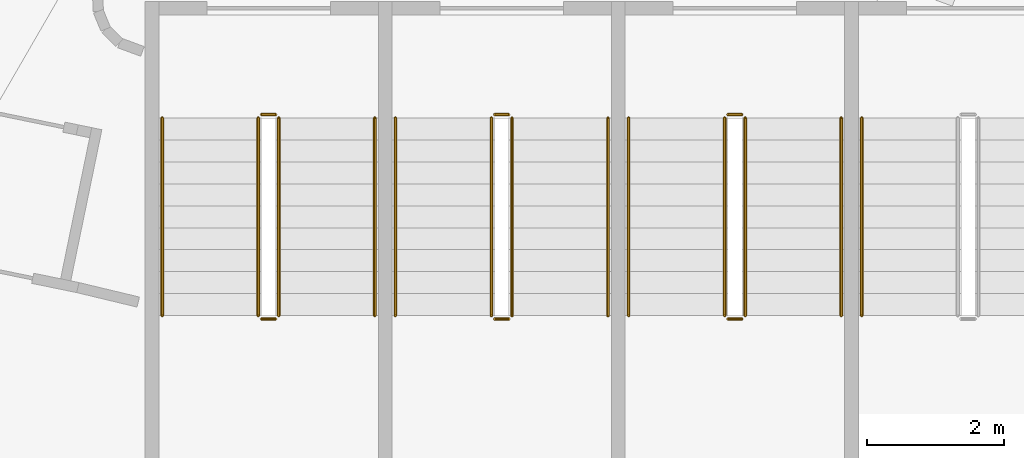
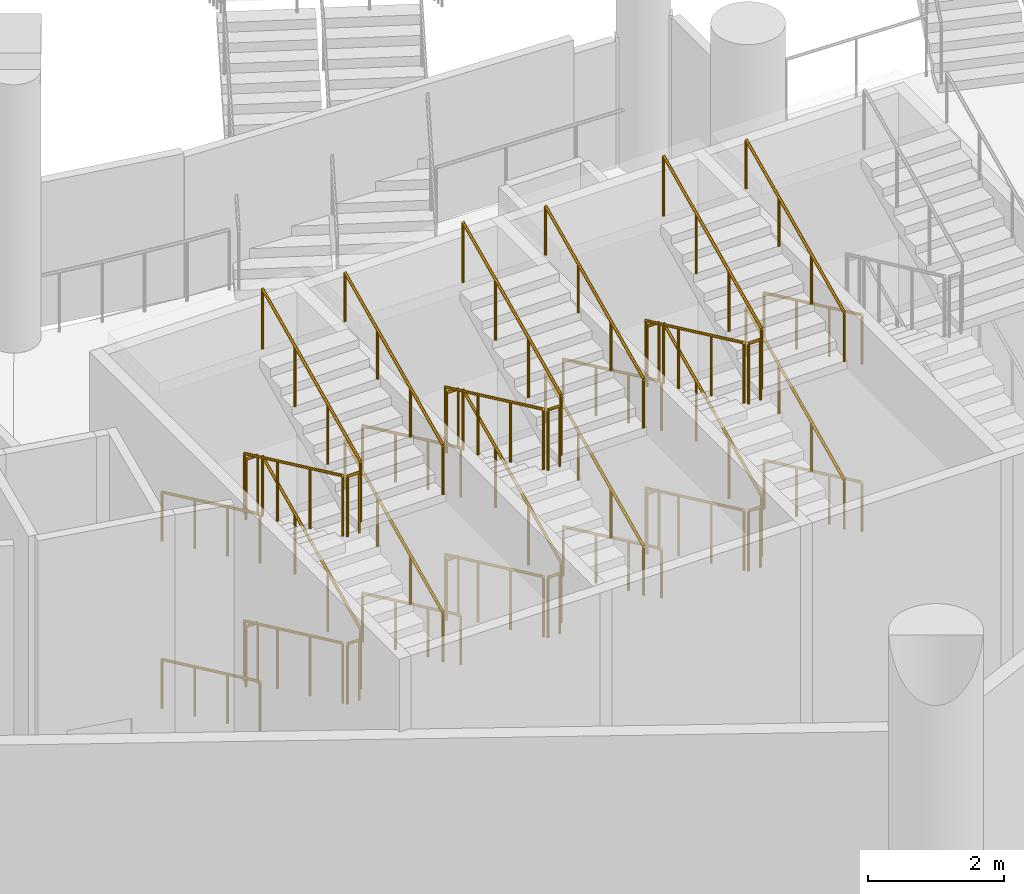
# One storey, part 116 of 173: 38 railings.
"""IFC4 building model written with IfcOpenShell, lengths in metres."""

from ifc_helpers import new_model, si_unit, direction, frame, origin, origin_2d, place, context, subcontext, project, spatial, circle, extrude, material, type_object, element, save


model = new_model("IFC4")

# Units and contexts
model_context = context("Model", 3, precision=1e-05, world=origin(), true_north=direction((0.0, 1.0)))
body_context = subcontext(model_context, "Body", "Model", "MODEL_VIEW")
ifc_project = project(units=[si_unit("LENGTHUNIT", "METRE"), si_unit("AREAUNIT", "SQUARE_METRE"), si_unit("VOLUMEUNIT", "CUBIC_METRE"), si_unit("PLANEANGLEUNIT", "RADIAN"), si_unit("MASSUNIT", "GRAM", prefix="KILO")], contexts=[model_context])

# Site, building, storey
site_placement = place(None, origin())
site = spatial("IfcSite", under=ifc_project, at=site_placement, CompositionType="ELEMENT")
building_placement = place(site_placement, origin())
building = spatial("IfcBuilding", under=site, at=building_placement, Name="Meseta Stadium", CompositionType="ELEMENT")
storey_placement = place(building_placement, frame((0.0, 0.0, 18.0)))
storey = spatial("IfcBuildingStorey", under=building, at=storey_placement, Name="L03", CompositionType="ELEMENT", Elevation=18.0)

# Railings
ifc_material_1 = material(Name="Steel S355", Category="steel")
railing_type_1 = type_object("IfcRailingType", Name="Stair guard 1100", PredefinedType="GUARDRAIL", material=ifc_material_1)
railing_1_placement = place(storey_placement, frame((-43.583251953125, -94.199951171875, 0.14990234375)))
element("IfcRailing", 1, at=railing_1_placement, inside=storey, type_object=railing_type_1, Name="ST89 L03 guard 1", PredefinedType="GUARDRAIL", context=body_context, shape_type="SweptSolid", body=[
    extrude(circle(Radius=0.02392578125, at=origin_2d()), frame((0.0, 0.0, 1.076171875), z_axis=(0.0, -0.905454327043, 0.424443708447), x_axis=(1.0, 0.0, 0.0)), (0.0, 0.0, 1.0), 3.180908203125),
    extrude(circle(Radius=0.02099609375, at=origin_2d()), origin(), (0.0, 0.0, 1.0), 1.052001953125),
    extrude(circle(Radius=0.02099609375, at=origin_2d()), frame((0.0, -0.9599609375, 0.449951171875)), (0.0, 0.0, 1.0), 1.052001953125),
    extrude(circle(Radius=0.02099609375, at=origin_2d()), frame((0.0, -1.920166015625, 0.900146484375)), (0.0, 0.0, 1.0), 1.052001953125),
    extrude(circle(Radius=0.02099609375, at=origin_2d()), frame((0.0, -2.880126953125, 1.35009765625)), (0.0, 0.0, 1.0), 1.052001953125),
])
railing_2_placement = place(storey_placement, frame((-43.533447265625, -97.1298828125, 1.5)))
element("IfcRailing", 2, at=railing_2_placement, inside=storey, type_object=railing_type_1, Name="ST89 L03 guard 2", PredefinedType="GUARDRAIL", context=body_context, shape_type="SweptSolid", body=[
    extrude(circle(Radius=0.02392578125, at=origin_2d()), frame((0.0, 0.0, 1.076171875), z_axis=(1.0, 0.0, 0.0), x_axis=(0.0, 1.0, 0.0)), (0.0, 0.0, 1.0), 0.2001953125),
    extrude(circle(Radius=0.02099609375, at=origin_2d()), origin(), (0.0, 0.0, 1.0), 1.052001953125),
    extrude(circle(Radius=0.02099609375, at=origin_2d()), frame((0.2001953125, 0.0, 0.0)), (0.0, 0.0, 1.0), 1.052001953125),
])
railing_3_placement = place(storey_placement, frame((-43.283447265625, -97.080078125, 1.64990234375)))
element("IfcRailing", 3, at=railing_3_placement, inside=storey, type_object=railing_type_1, Name="ST89 L03 guard 3", PredefinedType="GUARDRAIL", context=body_context, shape_type="SweptSolid", body=[
    extrude(circle(Radius=0.02392578125, at=origin_2d()), frame((0.0, 0.0, 1.076171875), z_axis=(0.0, 0.905454327043, 0.424443708447), x_axis=(-1.0, 0.0, 0.0)), (0.0, 0.0, 1.0), 3.180908203125),
    extrude(circle(Radius=0.02099609375, at=origin_2d()), origin(), (0.0, 0.0, 1.0), 1.052001953125),
    extrude(circle(Radius=0.02099609375, at=origin_2d()), frame((0.0, 0.9599609375, 0.449951171875)), (0.0, 0.0, 1.0), 1.052001953125),
    extrude(circle(Radius=0.02099609375, at=origin_2d()), frame((0.0, 1.920166015625, 0.900146484375)), (0.0, 0.0, 1.0), 1.052001953125),
    extrude(circle(Radius=0.02099609375, at=origin_2d()), frame((0.0, 2.880126953125, 1.35009765625)), (0.0, 0.0, 1.0), 1.052001953125),
])
railing_4_placement = place(storey_placement, frame((-43.533447265625, -94.14990234375, 3.0)))
element("IfcRailing", 4, at=railing_4_placement, inside=storey, type_object=railing_type_1, Name="ST89 L03 guard 4", PredefinedType="GUARDRAIL", context=body_context, shape_type="SweptSolid", body=[
    extrude(circle(Radius=0.02392578125, at=origin_2d()), frame((0.0, 0.0, 1.076171875), z_axis=(1.0, 0.0, 0.0), x_axis=(0.0, 1.0, 0.0)), (0.0, 0.0, 1.0), 0.2001953125),
    extrude(circle(Radius=0.02099609375, at=origin_2d()), origin(), (0.0, 0.0, 1.0), 1.052001953125),
    extrude(circle(Radius=0.02099609375, at=origin_2d()), frame((0.2001953125, 0.0, 0.0)), (0.0, 0.0, 1.0), 1.052001953125),
])
railing_5_placement = place(storey_placement, frame((-43.583251953125, -94.199951171875, 3.14990234375)))
element("IfcRailing", 5, at=railing_5_placement, inside=storey, type_object=railing_type_1, Name="ST89 L03 guard 5", PredefinedType="GUARDRAIL", context=body_context, shape_type="SweptSolid", body=[
    extrude(circle(Radius=0.02392578125, at=origin_2d()), frame((0.0, 0.0, 1.076171875), z_axis=(0.0, -0.905454327043, 0.424443708447), x_axis=(1.0, 0.0, 0.0)), (0.0, 0.0, 1.0), 3.180908203125),
    extrude(circle(Radius=0.02099609375, at=origin_2d()), origin(), (0.0, 0.0, 1.0), 1.052001953125),
    extrude(circle(Radius=0.02099609375, at=origin_2d()), frame((0.0, -0.9599609375, 0.449951171875)), (0.0, 0.0, 1.0), 1.052001953125),
    extrude(circle(Radius=0.02099609375, at=origin_2d()), frame((0.0, -1.920166015625, 0.900146484375)), (0.0, 0.0, 1.0), 1.052001953125),
    extrude(circle(Radius=0.02099609375, at=origin_2d()), frame((0.0, -2.880126953125, 1.35009765625)), (0.0, 0.0, 1.0), 1.052001953125),
])
railing_6_placement = place(storey_placement, frame((-43.533447265625, -97.1298828125, 4.5)))
element("IfcRailing", 6, at=railing_6_placement, inside=storey, type_object=railing_type_1, Name="ST89 L03 guard 6", PredefinedType="GUARDRAIL", context=body_context, shape_type="SweptSolid", body=[
    extrude(circle(Radius=0.02392578125, at=origin_2d()), frame((0.0, 0.0, 1.076171875), z_axis=(1.0, 0.0, 0.0), x_axis=(0.0, 1.0, 0.0)), (0.0, 0.0, 1.0), 0.2001953125),
    extrude(circle(Radius=0.02099609375, at=origin_2d()), origin(), (0.0, 0.0, 1.0), 1.052001953125),
    extrude(circle(Radius=0.02099609375, at=origin_2d()), frame((0.2001953125, 0.0, 0.0)), (0.0, 0.0, 1.0), 1.052001953125),
])
railing_7_placement = place(storey_placement, frame((-43.283447265625, -97.080078125, 4.64990234375)))
element("IfcRailing", 7, at=railing_7_placement, inside=storey, type_object=railing_type_1, Name="ST89 L03 guard 7", PredefinedType="GUARDRAIL", context=body_context, shape_type="SweptSolid", body=[
    extrude(circle(Radius=0.02392578125, at=origin_2d()), frame((0.0, 0.0, 1.076171875), z_axis=(0.0, 0.905454327043, 0.424443708447), x_axis=(-1.0, 0.0, 0.0)), (0.0, 0.0, 1.0), 3.180908203125),
    extrude(circle(Radius=0.02099609375, at=origin_2d()), origin(), (0.0, 0.0, 1.0), 1.052001953125),
    extrude(circle(Radius=0.02099609375, at=origin_2d()), frame((0.0, 0.9599609375, 0.449951171875)), (0.0, 0.0, 1.0), 1.052001953125),
    extrude(circle(Radius=0.02099609375, at=origin_2d()), frame((0.0, 1.920166015625, 0.900146484375)), (0.0, 0.0, 1.0), 1.052001953125),
    extrude(circle(Radius=0.02099609375, at=origin_2d()), frame((0.0, 2.880126953125, 1.35009765625)), (0.0, 0.0, 1.0), 1.052001953125),
])
railing_8_placement = place(storey_placement, frame((-43.533447265625, -94.14990234375, 0.0)))
element("IfcRailing", 8, at=railing_8_placement, inside=storey, type_object=railing_type_1, Name="ST89 L03 guard 8", PredefinedType="GUARDRAIL", context=body_context, shape_type="SweptSolid", body=[
    extrude(circle(Radius=0.02392578125, at=origin_2d()), frame((0.0, 0.0, 1.076171875), z_axis=(1.0, 0.0, 0.0), x_axis=(0.0, 1.0, 0.0)), (0.0, 0.0, 1.0), 0.2001953125),
    extrude(circle(Radius=0.02099609375, at=origin_2d()), origin(), (0.0, 0.0, 1.0), 1.052001953125),
    extrude(circle(Radius=0.02099609375, at=origin_2d()), frame((0.2001953125, 0.0, 0.0)), (0.0, 0.0, 1.0), 1.052001953125),
])
railing_9_placement = place(storey_placement, frame((-40.183349609375, -94.199951171875, 0.14990234375)))
element("IfcRailing", 9, at=railing_9_placement, inside=storey, type_object=railing_type_1, Name="ST90 L03 guard 1", PredefinedType="GUARDRAIL", context=body_context, shape_type="SweptSolid", body=[
    extrude(circle(Radius=0.02392578125, at=origin_2d()), frame((0.0, 0.0, 1.076171875), z_axis=(0.0, -0.905454327043, 0.424443708447), x_axis=(1.0, 0.0, 0.0)), (0.0, 0.0, 1.0), 3.180908203125),
    extrude(circle(Radius=0.02099609375, at=origin_2d()), origin(), (0.0, 0.0, 1.0), 1.052001953125),
    extrude(circle(Radius=0.02099609375, at=origin_2d()), frame((0.0, -0.9599609375, 0.449951171875)), (0.0, 0.0, 1.0), 1.052001953125),
    extrude(circle(Radius=0.02099609375, at=origin_2d()), frame((0.0, -1.920166015625, 0.900146484375)), (0.0, 0.0, 1.0), 1.052001953125),
    extrude(circle(Radius=0.02099609375, at=origin_2d()), frame((0.0, -2.880126953125, 1.35009765625)), (0.0, 0.0, 1.0), 1.052001953125),
])
railing_10_placement = place(storey_placement, frame((-40.13330078125, -97.1298828125, 1.5)))
element("IfcRailing", 10, at=railing_10_placement, inside=storey, type_object=railing_type_1, Name="ST90 L03 guard 2", PredefinedType="GUARDRAIL", context=body_context, shape_type="SweptSolid", body=[
    extrude(circle(Radius=0.02392578125, at=origin_2d()), frame((0.0, 0.0, 1.076171875), z_axis=(1.0, 0.0, 0.0), x_axis=(0.0, 1.0, 0.0)), (0.0, 0.0, 1.0), 0.199951171875),
    extrude(circle(Radius=0.02099609375, at=origin_2d()), origin(), (0.0, 0.0, 1.0), 1.052001953125),
    extrude(circle(Radius=0.02099609375, at=origin_2d()), frame((0.199951171875, 0.0, 0.0)), (0.0, 0.0, 1.0), 1.052001953125),
])
railing_11_placement = place(storey_placement, frame((-39.88330078125, -97.080078125, 1.64990234375)))
element("IfcRailing", 11, at=railing_11_placement, inside=storey, type_object=railing_type_1, Name="ST90 L03 guard 3", PredefinedType="GUARDRAIL", context=body_context, shape_type="SweptSolid", body=[
    extrude(circle(Radius=0.02392578125, at=origin_2d()), frame((0.0, 0.0, 1.076171875), z_axis=(0.0, 0.905454327043, 0.424443708447), x_axis=(-1.0, 0.0, 0.0)), (0.0, 0.0, 1.0), 3.180908203125),
    extrude(circle(Radius=0.02099609375, at=origin_2d()), origin(), (0.0, 0.0, 1.0), 1.052001953125),
    extrude(circle(Radius=0.02099609375, at=origin_2d()), frame((0.0, 0.9599609375, 0.449951171875)), (0.0, 0.0, 1.0), 1.052001953125),
    extrude(circle(Radius=0.02099609375, at=origin_2d()), frame((0.0, 1.920166015625, 0.900146484375)), (0.0, 0.0, 1.0), 1.052001953125),
    extrude(circle(Radius=0.02099609375, at=origin_2d()), frame((0.0, 2.880126953125, 1.35009765625)), (0.0, 0.0, 1.0), 1.052001953125),
])
railing_12_placement = place(storey_placement, frame((-40.13330078125, -94.14990234375, 3.0)))
element("IfcRailing", 12, at=railing_12_placement, inside=storey, type_object=railing_type_1, Name="ST90 L03 guard 4", PredefinedType="GUARDRAIL", context=body_context, shape_type="SweptSolid", body=[
    extrude(circle(Radius=0.02392578125, at=origin_2d()), frame((0.0, 0.0, 1.076171875), z_axis=(1.0, 0.0, 0.0), x_axis=(0.0, 1.0, 0.0)), (0.0, 0.0, 1.0), 0.199951171875),
    extrude(circle(Radius=0.02099609375, at=origin_2d()), origin(), (0.0, 0.0, 1.0), 1.052001953125),
    extrude(circle(Radius=0.02099609375, at=origin_2d()), frame((0.199951171875, 0.0, 0.0)), (0.0, 0.0, 1.0), 1.052001953125),
])
railing_13_placement = place(storey_placement, frame((-40.183349609375, -94.199951171875, 3.14990234375)))
element("IfcRailing", 13, at=railing_13_placement, inside=storey, type_object=railing_type_1, Name="ST90 L03 guard 5", PredefinedType="GUARDRAIL", context=body_context, shape_type="SweptSolid", body=[
    extrude(circle(Radius=0.02392578125, at=origin_2d()), frame((0.0, 0.0, 1.076171875), z_axis=(0.0, -0.905454327043, 0.424443708447), x_axis=(1.0, 0.0, 0.0)), (0.0, 0.0, 1.0), 3.180908203125),
    extrude(circle(Radius=0.02099609375, at=origin_2d()), origin(), (0.0, 0.0, 1.0), 1.052001953125),
    extrude(circle(Radius=0.02099609375, at=origin_2d()), frame((0.0, -0.9599609375, 0.449951171875)), (0.0, 0.0, 1.0), 1.052001953125),
    extrude(circle(Radius=0.02099609375, at=origin_2d()), frame((0.0, -1.920166015625, 0.900146484375)), (0.0, 0.0, 1.0), 1.052001953125),
    extrude(circle(Radius=0.02099609375, at=origin_2d()), frame((0.0, -2.880126953125, 1.35009765625)), (0.0, 0.0, 1.0), 1.052001953125),
])
railing_14_placement = place(storey_placement, frame((-40.13330078125, -97.1298828125, 4.5)))
element("IfcRailing", 14, at=railing_14_placement, inside=storey, type_object=railing_type_1, Name="ST90 L03 guard 6", PredefinedType="GUARDRAIL", context=body_context, shape_type="SweptSolid", body=[
    extrude(circle(Radius=0.02392578125, at=origin_2d()), frame((0.0, 0.0, 1.076171875), z_axis=(1.0, 0.0, 0.0), x_axis=(0.0, 1.0, 0.0)), (0.0, 0.0, 1.0), 0.199951171875),
    extrude(circle(Radius=0.02099609375, at=origin_2d()), origin(), (0.0, 0.0, 1.0), 1.052001953125),
    extrude(circle(Radius=0.02099609375, at=origin_2d()), frame((0.199951171875, 0.0, 0.0)), (0.0, 0.0, 1.0), 1.052001953125),
])
railing_15_placement = place(storey_placement, frame((-39.88330078125, -97.080078125, 4.64990234375)))
element("IfcRailing", 15, at=railing_15_placement, inside=storey, type_object=railing_type_1, Name="ST90 L03 guard 7", PredefinedType="GUARDRAIL", context=body_context, shape_type="SweptSolid", body=[
    extrude(circle(Radius=0.02392578125, at=origin_2d()), frame((0.0, 0.0, 1.076171875), z_axis=(0.0, 0.905454327043, 0.424443708447), x_axis=(-1.0, 0.0, 0.0)), (0.0, 0.0, 1.0), 3.180908203125),
    extrude(circle(Radius=0.02099609375, at=origin_2d()), origin(), (0.0, 0.0, 1.0), 1.052001953125),
    extrude(circle(Radius=0.02099609375, at=origin_2d()), frame((0.0, 0.9599609375, 0.449951171875)), (0.0, 0.0, 1.0), 1.052001953125),
    extrude(circle(Radius=0.02099609375, at=origin_2d()), frame((0.0, 1.920166015625, 0.900146484375)), (0.0, 0.0, 1.0), 1.052001953125),
    extrude(circle(Radius=0.02099609375, at=origin_2d()), frame((0.0, 2.880126953125, 1.35009765625)), (0.0, 0.0, 1.0), 1.052001953125),
])
railing_16_placement = place(storey_placement, frame((-40.13330078125, -94.14990234375, 0.0)))
element("IfcRailing", 16, at=railing_16_placement, inside=storey, type_object=railing_type_1, Name="ST90 L03 guard 8", PredefinedType="GUARDRAIL", context=body_context, shape_type="SweptSolid", body=[
    extrude(circle(Radius=0.02392578125, at=origin_2d()), frame((0.0, 0.0, 1.076171875), z_axis=(1.0, 0.0, 0.0), x_axis=(0.0, 1.0, 0.0)), (0.0, 0.0, 1.0), 0.199951171875),
    extrude(circle(Radius=0.02099609375, at=origin_2d()), origin(), (0.0, 0.0, 1.0), 1.052001953125),
    extrude(circle(Radius=0.02099609375, at=origin_2d()), frame((0.199951171875, 0.0, 0.0)), (0.0, 0.0, 1.0), 1.052001953125),
])
railing_17_placement = place(storey_placement, frame((-36.783447265625, -94.199951171875, 0.14990234375)))
element("IfcRailing", 17, at=railing_17_placement, inside=storey, type_object=railing_type_1, Name="ST91 L03 guard 1", PredefinedType="GUARDRAIL", context=body_context, shape_type="SweptSolid", body=[
    extrude(circle(Radius=0.02392578125, at=origin_2d()), frame((0.0, 0.0, 1.076171875), z_axis=(0.0, -0.905454327043, 0.424443708447), x_axis=(1.0, 0.0, 0.0)), (0.0, 0.0, 1.0), 3.180908203125),
    extrude(circle(Radius=0.02099609375, at=origin_2d()), origin(), (0.0, 0.0, 1.0), 1.052001953125),
    extrude(circle(Radius=0.02099609375, at=origin_2d()), frame((0.0, -0.9599609375, 0.449951171875)), (0.0, 0.0, 1.0), 1.052001953125),
    extrude(circle(Radius=0.02099609375, at=origin_2d()), frame((0.0, -1.920166015625, 0.900146484375)), (0.0, 0.0, 1.0), 1.052001953125),
    extrude(circle(Radius=0.02099609375, at=origin_2d()), frame((0.0, -2.880126953125, 1.35009765625)), (0.0, 0.0, 1.0), 1.052001953125),
])
railing_18_placement = place(storey_placement, frame((-36.7333984375, -97.1298828125, 1.5)))
element("IfcRailing", 18, at=railing_18_placement, inside=storey, type_object=railing_type_1, Name="ST91 L03 guard 2", PredefinedType="GUARDRAIL", context=body_context, shape_type="SweptSolid", body=[
    extrude(circle(Radius=0.02392578125, at=origin_2d()), frame((0.0, 0.0, 1.076171875), z_axis=(1.0, 0.0, 0.0), x_axis=(0.0, 1.0, 0.0)), (0.0, 0.0, 1.0), 0.199951171875),
    extrude(circle(Radius=0.02099609375, at=origin_2d()), origin(), (0.0, 0.0, 1.0), 1.052001953125),
    extrude(circle(Radius=0.02099609375, at=origin_2d()), frame((0.199951171875, 0.0, 0.0)), (0.0, 0.0, 1.0), 1.052001953125),
])
railing_19_placement = place(storey_placement, frame((-36.4833984375, -97.080078125, 1.64990234375)))
element("IfcRailing", 19, at=railing_19_placement, inside=storey, type_object=railing_type_1, Name="ST91 L03 guard 3", PredefinedType="GUARDRAIL", context=body_context, shape_type="SweptSolid", body=[
    extrude(circle(Radius=0.02392578125, at=origin_2d()), frame((0.0, 0.0, 1.076171875), z_axis=(0.0, 0.905454327043, 0.424443708447), x_axis=(-1.0, 0.0, 0.0)), (0.0, 0.0, 1.0), 3.180908203125),
    extrude(circle(Radius=0.02099609375, at=origin_2d()), origin(), (0.0, 0.0, 1.0), 1.052001953125),
    extrude(circle(Radius=0.02099609375, at=origin_2d()), frame((0.0, 0.9599609375, 0.449951171875)), (0.0, 0.0, 1.0), 1.052001953125),
    extrude(circle(Radius=0.02099609375, at=origin_2d()), frame((0.0, 1.920166015625, 0.900146484375)), (0.0, 0.0, 1.0), 1.052001953125),
    extrude(circle(Radius=0.02099609375, at=origin_2d()), frame((0.0, 2.880126953125, 1.35009765625)), (0.0, 0.0, 1.0), 1.052001953125),
])
railing_20_placement = place(storey_placement, frame((-36.7333984375, -94.14990234375, 3.0)))
element("IfcRailing", 20, at=railing_20_placement, inside=storey, type_object=railing_type_1, Name="ST91 L03 guard 4", PredefinedType="GUARDRAIL", context=body_context, shape_type="SweptSolid", body=[
    extrude(circle(Radius=0.02392578125, at=origin_2d()), frame((0.0, 0.0, 1.076171875), z_axis=(1.0, 0.0, 0.0), x_axis=(0.0, 1.0, 0.0)), (0.0, 0.0, 1.0), 0.199951171875),
    extrude(circle(Radius=0.02099609375, at=origin_2d()), origin(), (0.0, 0.0, 1.0), 1.052001953125),
    extrude(circle(Radius=0.02099609375, at=origin_2d()), frame((0.199951171875, 0.0, 0.0)), (0.0, 0.0, 1.0), 1.052001953125),
])
railing_21_placement = place(storey_placement, frame((-36.783447265625, -94.199951171875, 3.14990234375)))
element("IfcRailing", 21, at=railing_21_placement, inside=storey, type_object=railing_type_1, Name="ST91 L03 guard 5", PredefinedType="GUARDRAIL", context=body_context, shape_type="SweptSolid", body=[
    extrude(circle(Radius=0.02392578125, at=origin_2d()), frame((0.0, 0.0, 1.076171875), z_axis=(0.0, -0.905454327043, 0.424443708447), x_axis=(1.0, 0.0, 0.0)), (0.0, 0.0, 1.0), 3.180908203125),
    extrude(circle(Radius=0.02099609375, at=origin_2d()), origin(), (0.0, 0.0, 1.0), 1.052001953125),
    extrude(circle(Radius=0.02099609375, at=origin_2d()), frame((0.0, -0.9599609375, 0.449951171875)), (0.0, 0.0, 1.0), 1.052001953125),
    extrude(circle(Radius=0.02099609375, at=origin_2d()), frame((0.0, -1.920166015625, 0.900146484375)), (0.0, 0.0, 1.0), 1.052001953125),
    extrude(circle(Radius=0.02099609375, at=origin_2d()), frame((0.0, -2.880126953125, 1.35009765625)), (0.0, 0.0, 1.0), 1.052001953125),
])
railing_22_placement = place(storey_placement, frame((-36.7333984375, -97.1298828125, 4.5)))
element("IfcRailing", 22, at=railing_22_placement, inside=storey, type_object=railing_type_1, Name="ST91 L03 guard 6", PredefinedType="GUARDRAIL", context=body_context, shape_type="SweptSolid", body=[
    extrude(circle(Radius=0.02392578125, at=origin_2d()), frame((0.0, 0.0, 1.076171875), z_axis=(1.0, 0.0, 0.0), x_axis=(0.0, 1.0, 0.0)), (0.0, 0.0, 1.0), 0.199951171875),
    extrude(circle(Radius=0.02099609375, at=origin_2d()), origin(), (0.0, 0.0, 1.0), 1.052001953125),
    extrude(circle(Radius=0.02099609375, at=origin_2d()), frame((0.199951171875, 0.0, 0.0)), (0.0, 0.0, 1.0), 1.052001953125),
])
railing_23_placement = place(storey_placement, frame((-36.4833984375, -97.080078125, 4.64990234375)))
element("IfcRailing", 23, at=railing_23_placement, inside=storey, type_object=railing_type_1, Name="ST91 L03 guard 7", PredefinedType="GUARDRAIL", context=body_context, shape_type="SweptSolid", body=[
    extrude(circle(Radius=0.02392578125, at=origin_2d()), frame((0.0, 0.0, 1.076171875), z_axis=(0.0, 0.905454327043, 0.424443708447), x_axis=(-1.0, 0.0, 0.0)), (0.0, 0.0, 1.0), 3.180908203125),
    extrude(circle(Radius=0.02099609375, at=origin_2d()), origin(), (0.0, 0.0, 1.0), 1.052001953125),
    extrude(circle(Radius=0.02099609375, at=origin_2d()), frame((0.0, 0.9599609375, 0.449951171875)), (0.0, 0.0, 1.0), 1.052001953125),
    extrude(circle(Radius=0.02099609375, at=origin_2d()), frame((0.0, 1.920166015625, 0.900146484375)), (0.0, 0.0, 1.0), 1.052001953125),
    extrude(circle(Radius=0.02099609375, at=origin_2d()), frame((0.0, 2.880126953125, 1.35009765625)), (0.0, 0.0, 1.0), 1.052001953125),
])
railing_24_placement = place(storey_placement, frame((-36.7333984375, -94.14990234375, 0.0)))
element("IfcRailing", 24, at=railing_24_placement, inside=storey, type_object=railing_type_1, Name="ST91 L03 guard 8", PredefinedType="GUARDRAIL", context=body_context, shape_type="SweptSolid", body=[
    extrude(circle(Radius=0.02392578125, at=origin_2d()), frame((0.0, 0.0, 1.076171875), z_axis=(1.0, 0.0, 0.0), x_axis=(0.0, 1.0, 0.0)), (0.0, 0.0, 1.0), 0.199951171875),
    extrude(circle(Radius=0.02099609375, at=origin_2d()), origin(), (0.0, 0.0, 1.0), 1.052001953125),
    extrude(circle(Radius=0.02099609375, at=origin_2d()), frame((0.199951171875, 0.0, 0.0)), (0.0, 0.0, 1.0), 1.052001953125),
])
ifc_material_2 = material(Name="Steel S355", Category="steel")
railing_type_2 = type_object("IfcRailingType", Name="Stair handrail 900", PredefinedType="HANDRAIL", material=ifc_material_2)
railing_25_placement = place(storey_placement, frame((-44.9833984375, -94.199951171875, 0.14990234375)))
element("IfcRailing", 25, at=railing_25_placement, inside=storey, type_object=railing_type_2, Name="ST89 L03 handrail 1", PredefinedType="HANDRAIL", context=body_context, shape_type="SweptSolid", body=[
    extrude(circle(Radius=0.02392578125, at=origin_2d()), frame((0.0, 0.0, 0.8759765625), z_axis=(0.0, -0.905454327043, 0.424443708447), x_axis=(1.0, 0.0, 0.0)), (0.0, 0.0, 1.0), 3.180908203125),
    extrude(circle(Radius=0.02099609375, at=origin_2d()), origin(), (0.0, 0.0, 1.0), 0.851806640625),
    extrude(circle(Radius=0.02099609375, at=origin_2d()), frame((0.0, -0.9599609375, 0.449951171875)), (0.0, 0.0, 1.0), 0.851806640625),
    extrude(circle(Radius=0.02099609375, at=origin_2d()), frame((0.0, -1.920166015625, 0.900146484375)), (0.0, 0.0, 1.0), 0.851806640625),
    extrude(circle(Radius=0.02099609375, at=origin_2d()), frame((0.0, -2.880126953125, 1.35009765625)), (0.0, 0.0, 1.0), 0.851806640625),
])
railing_26_placement = place(storey_placement, frame((-41.88330078125, -97.080078125, 1.64990234375)))
element("IfcRailing", 26, at=railing_26_placement, inside=storey, type_object=railing_type_2, Name="ST89 L03 handrail 2", PredefinedType="HANDRAIL", context=body_context, shape_type="SweptSolid", body=[
    extrude(circle(Radius=0.02392578125, at=origin_2d()), frame((0.0, 0.0, 0.8759765625), z_axis=(0.0, 0.905454327043, 0.424443708447), x_axis=(-1.0, 0.0, 0.0)), (0.0, 0.0, 1.0), 3.180908203125),
    extrude(circle(Radius=0.02099609375, at=origin_2d()), origin(), (0.0, 0.0, 1.0), 0.851806640625),
    extrude(circle(Radius=0.02099609375, at=origin_2d()), frame((0.0, 0.9599609375, 0.449951171875)), (0.0, 0.0, 1.0), 0.851806640625),
    extrude(circle(Radius=0.02099609375, at=origin_2d()), frame((0.0, 1.920166015625, 0.900146484375)), (0.0, 0.0, 1.0), 0.851806640625),
    extrude(circle(Radius=0.02099609375, at=origin_2d()), frame((0.0, 2.880126953125, 1.35009765625)), (0.0, 0.0, 1.0), 0.851806640625),
])
railing_27_placement = place(storey_placement, frame((-44.9833984375, -94.199951171875, 3.14990234375)))
element("IfcRailing", 27, at=railing_27_placement, inside=storey, type_object=railing_type_2, Name="ST89 L03 handrail 3", PredefinedType="HANDRAIL", context=body_context, shape_type="SweptSolid", body=[
    extrude(circle(Radius=0.02392578125, at=origin_2d()), frame((0.0, 0.0, 0.8759765625), z_axis=(0.0, -0.905454327043, 0.424443708447), x_axis=(1.0, 0.0, 0.0)), (0.0, 0.0, 1.0), 3.180908203125),
    extrude(circle(Radius=0.02099609375, at=origin_2d()), origin(), (0.0, 0.0, 1.0), 0.851806640625),
    extrude(circle(Radius=0.02099609375, at=origin_2d()), frame((0.0, -0.9599609375, 0.449951171875)), (0.0, 0.0, 1.0), 0.851806640625),
    extrude(circle(Radius=0.02099609375, at=origin_2d()), frame((0.0, -1.920166015625, 0.900146484375)), (0.0, 0.0, 1.0), 0.851806640625),
    extrude(circle(Radius=0.02099609375, at=origin_2d()), frame((0.0, -2.880126953125, 1.35009765625)), (0.0, 0.0, 1.0), 0.851806640625),
])
railing_28_placement = place(storey_placement, frame((-41.88330078125, -97.080078125, 4.64990234375)))
element("IfcRailing", 28, at=railing_28_placement, inside=storey, type_object=railing_type_2, Name="ST89 L03 handrail 4", PredefinedType="HANDRAIL", context=body_context, shape_type="SweptSolid", body=[
    extrude(circle(Radius=0.02392578125, at=origin_2d()), frame((0.0, 0.0, 0.8759765625), z_axis=(0.0, 0.905454327043, 0.424443708447), x_axis=(-1.0, 0.0, 0.0)), (0.0, 0.0, 1.0), 3.180908203125),
    extrude(circle(Radius=0.02099609375, at=origin_2d()), origin(), (0.0, 0.0, 1.0), 0.851806640625),
    extrude(circle(Radius=0.02099609375, at=origin_2d()), frame((0.0, 0.9599609375, 0.449951171875)), (0.0, 0.0, 1.0), 0.851806640625),
    extrude(circle(Radius=0.02099609375, at=origin_2d()), frame((0.0, 1.920166015625, 0.900146484375)), (0.0, 0.0, 1.0), 0.851806640625),
    extrude(circle(Radius=0.02099609375, at=origin_2d()), frame((0.0, 2.880126953125, 1.35009765625)), (0.0, 0.0, 1.0), 0.851806640625),
])
railing_29_placement = place(storey_placement, frame((-41.583251953125, -94.199951171875, 0.14990234375)))
element("IfcRailing", 29, at=railing_29_placement, inside=storey, type_object=railing_type_2, Name="ST90 L03 handrail 1", PredefinedType="HANDRAIL", context=body_context, shape_type="SweptSolid", body=[
    extrude(circle(Radius=0.02392578125, at=origin_2d()), frame((0.0, 0.0, 0.8759765625), z_axis=(0.0, -0.905454327043, 0.424443708447), x_axis=(1.0, 0.0, 0.0)), (0.0, 0.0, 1.0), 3.180908203125),
    extrude(circle(Radius=0.02099609375, at=origin_2d()), origin(), (0.0, 0.0, 1.0), 0.851806640625),
    extrude(circle(Radius=0.02099609375, at=origin_2d()), frame((0.0, -0.9599609375, 0.449951171875)), (0.0, 0.0, 1.0), 0.851806640625),
    extrude(circle(Radius=0.02099609375, at=origin_2d()), frame((0.0, -1.920166015625, 0.900146484375)), (0.0, 0.0, 1.0), 0.851806640625),
    extrude(circle(Radius=0.02099609375, at=origin_2d()), frame((0.0, -2.880126953125, 1.35009765625)), (0.0, 0.0, 1.0), 0.851806640625),
])
railing_30_placement = place(storey_placement, frame((-38.4833984375, -97.080078125, 1.64990234375)))
element("IfcRailing", 30, at=railing_30_placement, inside=storey, type_object=railing_type_2, Name="ST90 L03 handrail 2", PredefinedType="HANDRAIL", context=body_context, shape_type="SweptSolid", body=[
    extrude(circle(Radius=0.02392578125, at=origin_2d()), frame((0.0, 0.0, 0.8759765625), z_axis=(0.0, 0.905454327043, 0.424443708447), x_axis=(-1.0, 0.0, 0.0)), (0.0, 0.0, 1.0), 3.180908203125),
    extrude(circle(Radius=0.02099609375, at=origin_2d()), origin(), (0.0, 0.0, 1.0), 0.851806640625),
    extrude(circle(Radius=0.02099609375, at=origin_2d()), frame((0.0, 0.9599609375, 0.449951171875)), (0.0, 0.0, 1.0), 0.851806640625),
    extrude(circle(Radius=0.02099609375, at=origin_2d()), frame((0.0, 1.920166015625, 0.900146484375)), (0.0, 0.0, 1.0), 0.851806640625),
    extrude(circle(Radius=0.02099609375, at=origin_2d()), frame((0.0, 2.880126953125, 1.35009765625)), (0.0, 0.0, 1.0), 0.851806640625),
])
railing_31_placement = place(storey_placement, frame((-41.583251953125, -94.199951171875, 3.14990234375)))
element("IfcRailing", 31, at=railing_31_placement, inside=storey, type_object=railing_type_2, Name="ST90 L03 handrail 3", PredefinedType="HANDRAIL", context=body_context, shape_type="SweptSolid", body=[
    extrude(circle(Radius=0.02392578125, at=origin_2d()), frame((0.0, 0.0, 0.8759765625), z_axis=(0.0, -0.905454327043, 0.424443708447), x_axis=(1.0, 0.0, 0.0)), (0.0, 0.0, 1.0), 3.180908203125),
    extrude(circle(Radius=0.02099609375, at=origin_2d()), origin(), (0.0, 0.0, 1.0), 0.851806640625),
    extrude(circle(Radius=0.02099609375, at=origin_2d()), frame((0.0, -0.9599609375, 0.449951171875)), (0.0, 0.0, 1.0), 0.851806640625),
    extrude(circle(Radius=0.02099609375, at=origin_2d()), frame((0.0, -1.920166015625, 0.900146484375)), (0.0, 0.0, 1.0), 0.851806640625),
    extrude(circle(Radius=0.02099609375, at=origin_2d()), frame((0.0, -2.880126953125, 1.35009765625)), (0.0, 0.0, 1.0), 0.851806640625),
])
railing_32_placement = place(storey_placement, frame((-38.4833984375, -97.080078125, 4.64990234375)))
element("IfcRailing", 32, at=railing_32_placement, inside=storey, type_object=railing_type_2, Name="ST90 L03 handrail 4", PredefinedType="HANDRAIL", context=body_context, shape_type="SweptSolid", body=[
    extrude(circle(Radius=0.02392578125, at=origin_2d()), frame((0.0, 0.0, 0.8759765625), z_axis=(0.0, 0.905454327043, 0.424443708447), x_axis=(-1.0, 0.0, 0.0)), (0.0, 0.0, 1.0), 3.180908203125),
    extrude(circle(Radius=0.02099609375, at=origin_2d()), origin(), (0.0, 0.0, 1.0), 0.851806640625),
    extrude(circle(Radius=0.02099609375, at=origin_2d()), frame((0.0, 0.9599609375, 0.449951171875)), (0.0, 0.0, 1.0), 0.851806640625),
    extrude(circle(Radius=0.02099609375, at=origin_2d()), frame((0.0, 1.920166015625, 0.900146484375)), (0.0, 0.0, 1.0), 0.851806640625),
    extrude(circle(Radius=0.02099609375, at=origin_2d()), frame((0.0, 2.880126953125, 1.35009765625)), (0.0, 0.0, 1.0), 0.851806640625),
])
railing_33_placement = place(storey_placement, frame((-38.183349609375, -94.199951171875, 0.14990234375)))
element("IfcRailing", 33, at=railing_33_placement, inside=storey, type_object=railing_type_2, Name="ST91 L03 handrail 1", PredefinedType="HANDRAIL", context=body_context, shape_type="SweptSolid", body=[
    extrude(circle(Radius=0.02392578125, at=origin_2d()), frame((0.0, 0.0, 0.8759765625), z_axis=(0.0, -0.905454327043, 0.424443708447), x_axis=(1.0, 0.0, 0.0)), (0.0, 0.0, 1.0), 3.180908203125),
    extrude(circle(Radius=0.02099609375, at=origin_2d()), origin(), (0.0, 0.0, 1.0), 0.851806640625),
    extrude(circle(Radius=0.02099609375, at=origin_2d()), frame((0.0, -0.9599609375, 0.449951171875)), (0.0, 0.0, 1.0), 0.851806640625),
    extrude(circle(Radius=0.02099609375, at=origin_2d()), frame((0.0, -1.920166015625, 0.900146484375)), (0.0, 0.0, 1.0), 0.851806640625),
    extrude(circle(Radius=0.02099609375, at=origin_2d()), frame((0.0, -2.880126953125, 1.35009765625)), (0.0, 0.0, 1.0), 0.851806640625),
])
railing_34_placement = place(storey_placement, frame((-35.083251953125, -97.080078125, 1.64990234375)))
element("IfcRailing", 34, at=railing_34_placement, inside=storey, type_object=railing_type_2, Name="ST91 L03 handrail 2", PredefinedType="HANDRAIL", context=body_context, shape_type="SweptSolid", body=[
    extrude(circle(Radius=0.02392578125, at=origin_2d()), frame((0.0, 0.0, 0.8759765625), z_axis=(0.0, 0.905454327043, 0.424443708447), x_axis=(-1.0, 0.0, 0.0)), (0.0, 0.0, 1.0), 3.180908203125),
    extrude(circle(Radius=0.02099609375, at=origin_2d()), origin(), (0.0, 0.0, 1.0), 0.851806640625),
    extrude(circle(Radius=0.02099609375, at=origin_2d()), frame((0.0, 0.9599609375, 0.449951171875)), (0.0, 0.0, 1.0), 0.851806640625),
    extrude(circle(Radius=0.02099609375, at=origin_2d()), frame((0.0, 1.920166015625, 0.900146484375)), (0.0, 0.0, 1.0), 0.851806640625),
    extrude(circle(Radius=0.02099609375, at=origin_2d()), frame((0.0, 2.880126953125, 1.35009765625)), (0.0, 0.0, 1.0), 0.851806640625),
])
railing_35_placement = place(storey_placement, frame((-38.183349609375, -94.199951171875, 3.14990234375)))
element("IfcRailing", 35, at=railing_35_placement, inside=storey, type_object=railing_type_2, Name="ST91 L03 handrail 3", PredefinedType="HANDRAIL", context=body_context, shape_type="SweptSolid", body=[
    extrude(circle(Radius=0.02392578125, at=origin_2d()), frame((0.0, 0.0, 0.8759765625), z_axis=(0.0, -0.905454327043, 0.424443708447), x_axis=(1.0, 0.0, 0.0)), (0.0, 0.0, 1.0), 3.180908203125),
    extrude(circle(Radius=0.02099609375, at=origin_2d()), origin(), (0.0, 0.0, 1.0), 0.851806640625),
    extrude(circle(Radius=0.02099609375, at=origin_2d()), frame((0.0, -0.9599609375, 0.449951171875)), (0.0, 0.0, 1.0), 0.851806640625),
    extrude(circle(Radius=0.02099609375, at=origin_2d()), frame((0.0, -1.920166015625, 0.900146484375)), (0.0, 0.0, 1.0), 0.851806640625),
    extrude(circle(Radius=0.02099609375, at=origin_2d()), frame((0.0, -2.880126953125, 1.35009765625)), (0.0, 0.0, 1.0), 0.851806640625),
])
railing_36_placement = place(storey_placement, frame((-35.083251953125, -97.080078125, 4.64990234375)))
element("IfcRailing", 36, at=railing_36_placement, inside=storey, type_object=railing_type_2, Name="ST91 L03 handrail 4", PredefinedType="HANDRAIL", context=body_context, shape_type="SweptSolid", body=[
    extrude(circle(Radius=0.02392578125, at=origin_2d()), frame((0.0, 0.0, 0.8759765625), z_axis=(0.0, 0.905454327043, 0.424443708447), x_axis=(-1.0, 0.0, 0.0)), (0.0, 0.0, 1.0), 3.180908203125),
    extrude(circle(Radius=0.02099609375, at=origin_2d()), origin(), (0.0, 0.0, 1.0), 0.851806640625),
    extrude(circle(Radius=0.02099609375, at=origin_2d()), frame((0.0, 0.9599609375, 0.449951171875)), (0.0, 0.0, 1.0), 0.851806640625),
    extrude(circle(Radius=0.02099609375, at=origin_2d()), frame((0.0, 1.920166015625, 0.900146484375)), (0.0, 0.0, 1.0), 0.851806640625),
    extrude(circle(Radius=0.02099609375, at=origin_2d()), frame((0.0, 2.880126953125, 1.35009765625)), (0.0, 0.0, 1.0), 0.851806640625),
])
for number, where, name in (
    (37, (-34.783447265625, -94.199951171875, 0.14990234375), "ST92 L03 handrail 1"),
    (38, (-34.783447265625, -94.199951171875, 3.14990234375), "ST92 L03 handrail 3"),
):
    element("IfcRailing", number, at=place(storey_placement, frame(where)), inside=storey, type_object=railing_type_2, Name=name, PredefinedType="HANDRAIL", context=body_context, shape_type="SweptSolid", body=[
        extrude(circle(Radius=0.02392578125, at=origin_2d()), frame((0.0, 0.0, 0.8759765625), z_axis=(0.0, -0.905454327043, 0.424443708447), x_axis=(1.0, 0.0, 0.0)), (0.0, 0.0, 1.0), 3.180908203125),
        extrude(circle(Radius=0.02099609375, at=origin_2d()), origin(), (0.0, 0.0, 1.0), 0.851806640625),
        extrude(circle(Radius=0.02099609375, at=origin_2d()), frame((0.0, -0.9599609375, 0.449951171875)), (0.0, 0.0, 1.0), 0.851806640625),
        extrude(circle(Radius=0.02099609375, at=origin_2d()), frame((0.0, -1.920166015625, 0.900146484375)), (0.0, 0.0, 1.0), 0.851806640625),
        extrude(circle(Radius=0.02099609375, at=origin_2d()), frame((0.0, -2.880126953125, 1.35009765625)), (0.0, 0.0, 1.0), 0.851806640625),
    ])

save(model, "model.ifc")
